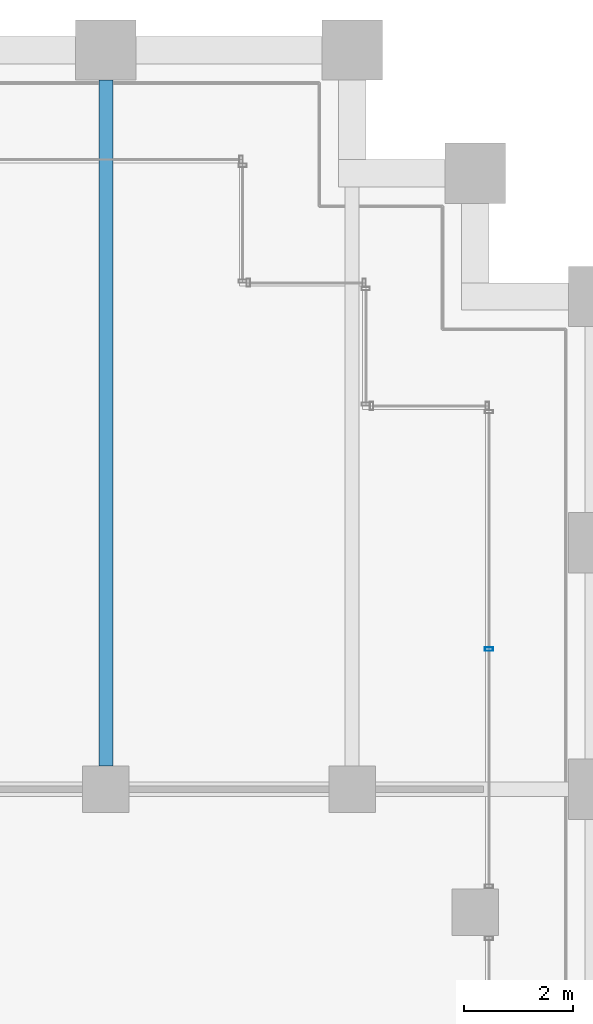
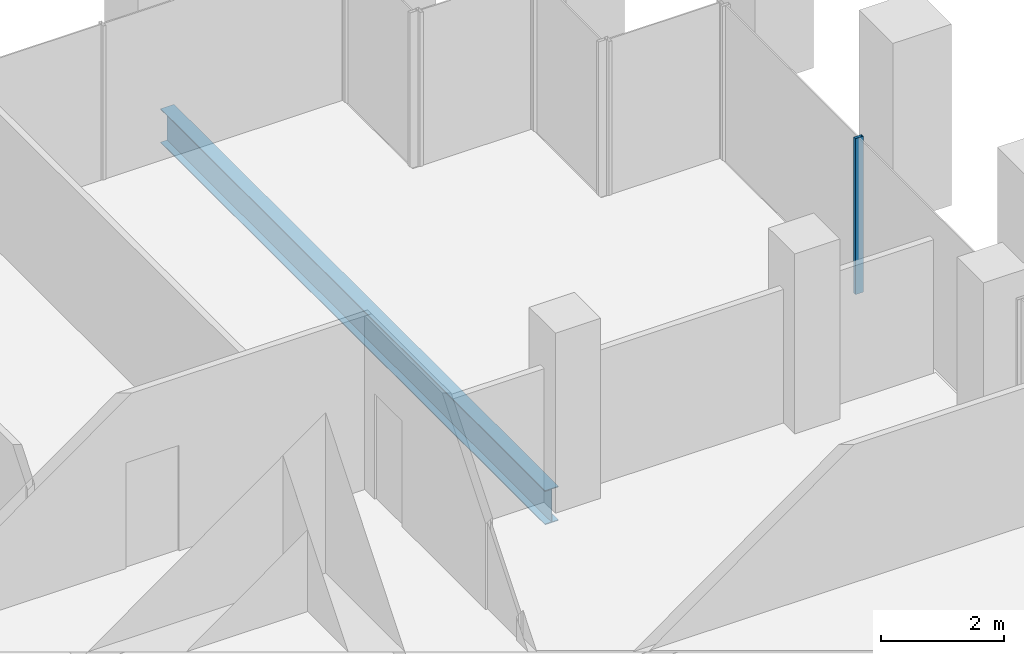
# One storey, part 30 of 56: 1 beam, 1 member, 1 element without a shape of its own.
"""IFC4 building model written with IfcOpenShell, lengths in metres."""

from ifc_helpers import new_model, si_unit, direction, frame, origin, origin_2d, place, context, subcontext, project, spatial, hollow_rectangle, i_section, extrude, material, material_profile, profile_set, type_object, element, aggregate, save


model = new_model("IFC4")

# Units and contexts
model_context = context("Model", 3, precision=1e-05, world=origin(), true_north=direction((0.0, 1.0)))
body_context = subcontext(model_context, "Body", "Model", "MODEL_VIEW")
ifc_project = project(units=[si_unit("LENGTHUNIT", "METRE"), si_unit("AREAUNIT", "SQUARE_METRE"), si_unit("VOLUMEUNIT", "CUBIC_METRE"), si_unit("PLANEANGLEUNIT", "RADIAN"), si_unit("MASSUNIT", "GRAM", prefix="KILO")], contexts=[model_context])

# Site, building, storey
site_placement = place(None, origin())
site = spatial("IfcSite", under=ifc_project, at=site_placement, CompositionType="ELEMENT")
building_placement = place(site_placement, origin())
building = spatial("IfcBuilding", under=site, at=building_placement, Name="Altepetl Exchange Towers", CompositionType="ELEMENT")
storey_placement = place(building_placement, frame((0.0, 0.0, 76.199951171875)))
storey = spatial("IfcBuildingStorey", under=building, at=storey_placement, Name="L18", CompositionType="ELEMENT", Elevation=76.199951171875)

# Beam
ifc_material_1 = material(Name="Steel S355", Category="steel")
ifc_material_profile_1 = material_profile(ifc_material_1, i_section(OverallWidth=0.25390625, OverallDepth=0.68408203125, WebThickness=0.012451171875, FlangeThickness=0.018798828125, at=origin_2d()), Name="W27X94")
ifc_profile_set_1 = profile_set([ifc_material_profile_1], Name="Steel S355")
beam_type = type_object("IfcBeamType", Name="Floor beam W27X94", PredefinedType="BEAM", material=ifc_profile_set_1)
beam_placement = place(storey_placement, frame((63.0, 58.925048828125, -0.491943359375), z_axis=(0.0, 1.0, 0.0), x_axis=(-1.0, 0.0, 0.0)))
element("IfcBeam", 1, at=beam_placement, inside=storey, type_object=beam_type, Name="bm:A:L18:004", PredefinedType="BEAM", context=body_context, shape_type="SweptSolid", body=[
    extrude(i_section(OverallWidth=0.25390625, OverallDepth=0.68408203125, WebThickness=0.012451171875, FlangeThickness=0.018798828125, at=origin_2d()), origin(), (0.0, 0.0, 1.0), 12.52490234375),
])

# Curtain wall, member
ifc_material_2 = material(Name="Aluminium 6063-T6 glazing", Category="aluminium")
curtain_wall_type = type_object("IfcCurtainWallType", Name="Loggia glazing system", PredefinedType="NOTDEFINED", material=ifc_material_2)
curtain_wall_placement = place(storey_placement, origin())
curtain_wall = element("IfcCurtainWall", 2, at=curtain_wall_placement, inside=storey, type_object=curtain_wall_type, Name="CW1 run", PredefinedType="NOTDEFINED")
ifc_material_3 = material(Name="Aluminium 6063-T6", Category="aluminium")
ifc_material_profile_2 = material_profile(ifc_material_3, hollow_rectangle(XDim=0.06005859375, YDim=0.14990234375, WallThickness=0.0029296875, at=origin_2d()), Name="Mullion 60x150 aluminium")
ifc_profile_set_2 = profile_set([ifc_material_profile_2], Name="Aluminium 6063-T6")
member_type = type_object("IfcMemberType", Name="Mullion 60x150 aluminium", PredefinedType="MULLION", material=ifc_profile_set_2)
member_placement = place(storey_placement, frame((70.0, 61.06005859375, 0.0), z_axis=(0.0, 0.0, 1.0), x_axis=(0.0, 1.0, 0.0)))
member = element("IfcMember", 3, at=member_placement, type_object=member_type, Name="MU1 mullion", PredefinedType="MULLION", context=body_context, shape_type="SweptSolid", body=[
    extrude(hollow_rectangle(XDim=0.06005859375, YDim=0.14990234375, WallThickness=0.0029296875, at=origin_2d()), origin(), (0.0, 0.0, 1.0), 3.10009765625),
])
aggregate(curtain_wall, [member])

save(model, "model.ifc")
